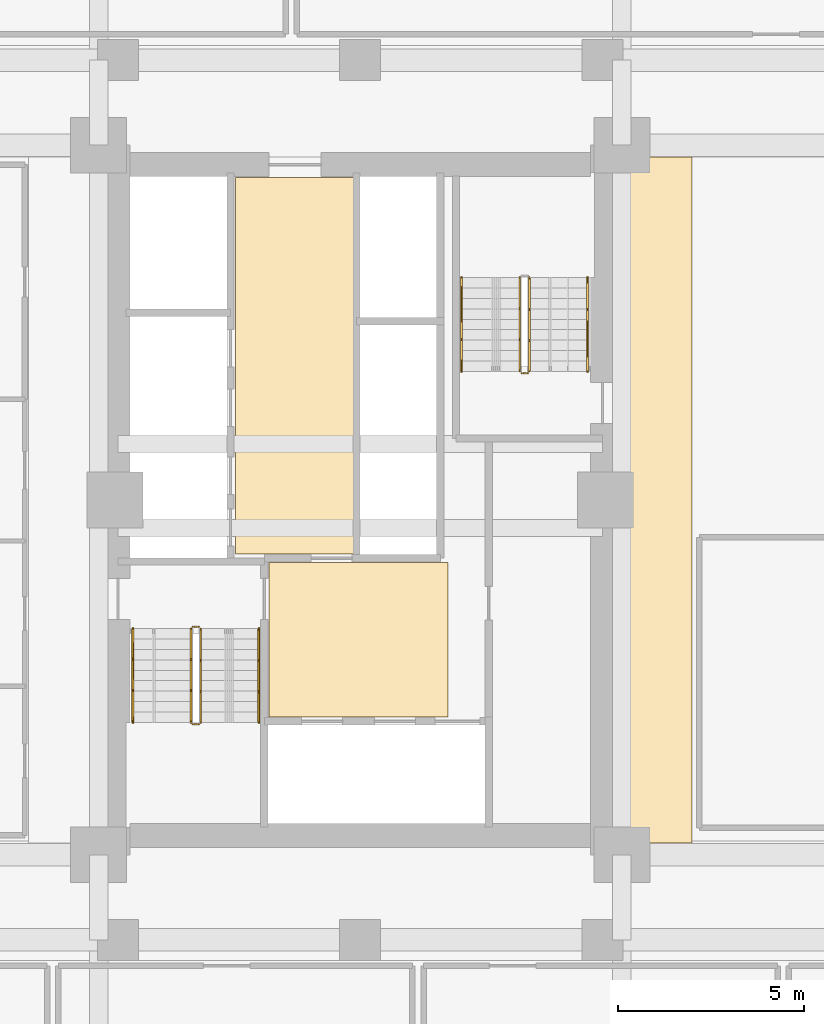
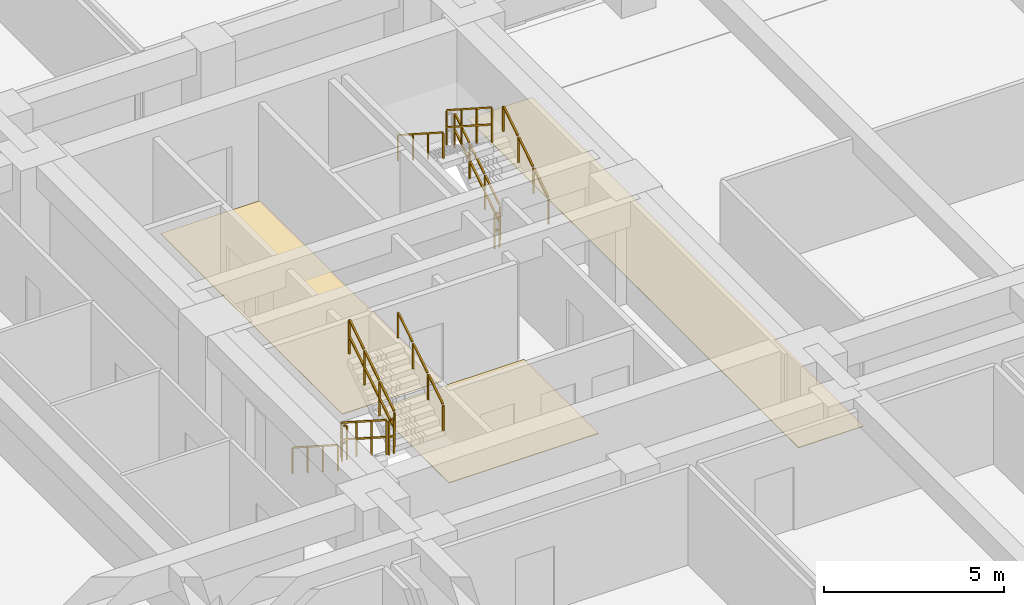
# One storey, part 23 of 27: 11 railings, 3 coverings.
"""IFC4 building model written with IfcOpenShell, lengths in metres."""

from ifc_helpers import new_model, si_unit, direction, frame, origin, origin_2d, place, context, subcontext, project, spatial, polyline, rectangle, outline, extrude, material, layer, layer_set, type_object, element, save


model = new_model("IFC4")

# Units and contexts
model_context = context("Model", 3, precision=1e-05, world=origin(), true_north=direction((0.0, 1.0)))
body_context = subcontext(model_context, "Body", "Model", "MODEL_VIEW")
ifc_project = project(units=[si_unit("LENGTHUNIT", "METRE"), si_unit("AREAUNIT", "SQUARE_METRE"), si_unit("VOLUMEUNIT", "CUBIC_METRE"), si_unit("PLANEANGLEUNIT", "RADIAN"), si_unit("MASSUNIT", "GRAM", prefix="KILO")], contexts=[model_context])

# Site, building, storey
site_placement = place(None, origin())
site = spatial("IfcSite", under=ifc_project, at=site_placement, CompositionType="ELEMENT")
building_placement = place(site_placement, origin())
building = spatial("IfcBuilding", under=site, at=building_placement, Name="Saelheon Loggia Tower", CompositionType="ELEMENT")
storey_placement = place(building_placement, frame((0.0, 0.0, 4.199951171875)))
storey = spatial("IfcBuildingStorey", under=building, at=storey_placement, Name="L01", CompositionType="ELEMENT", Elevation=4.199951171875)

# Coverings
ifc_material_1 = material(Name="Vitrified Porcelain Floor Tile", Category="ceramic")
ifc_layer = layer(ifc_material_1, 0.02001953125)
ifc_layer_set = layer_set([ifc_layer], Name="Vitrified Porcelain Floor Tile")
covering_type = type_object("IfcCoveringType", Name="Cov_Floor_Porcelain", PredefinedType="FLOORING", material=ifc_layer_set)
covering_1_placement = place(storey_placement, origin())
element("IfcCovering", 1, at=covering_1_placement, inside=storey, type_object=covering_type, Name="L01 Corridor Porcelain Flooring", PredefinedType="FLOORING", context=body_context, shape_type="SweptSolid", body=[
    extrude(outline(polyline([(35.550048828125, 21.179931640625), (40.35009765625, 21.179931640625), (40.35009765625, 25.320068359375), (35.550048828125, 25.320068359375), (35.550048828125, 21.179931640625)])), origin(), (0.0, 0.0, 1.0), 0.02001953125),
])
covering_2_placement = place(storey_placement, origin())
element("IfcCovering", 2, at=covering_2_placement, inside=storey, type_object=covering_type, Name="L01 Corridor Porcelain Flooring", PredefinedType="FLOORING", context=body_context, shape_type="SweptSolid", body=[
    extrude(outline(polyline([(34.64990234375, 25.550048828125), (37.85009765625, 25.550048828125), (37.85009765625, 35.64990234375), (34.64990234375, 35.64990234375), (34.64990234375, 25.550048828125)])), origin(), (0.0, 0.0, 1.0), 0.02001953125),
])
covering_3_placement = place(storey_placement, origin())
element("IfcCovering", 3, at=covering_3_placement, inside=storey, type_object=covering_type, Name="L01 Corridor Porcelain Flooring", PredefinedType="FLOORING", context=body_context, shape_type="SweptSolid", body=[
    extrude(outline(polyline([(44.820068359375, 17.800048828125), (46.89990234375, 17.800048828125), (46.89990234375, 36.199951171875), (44.820068359375, 36.199951171875), (44.820068359375, 17.800048828125)])), origin(), (0.0, 0.0, 1.0), 0.02001953125),
])

# Railings
ifc_material_2 = material(Name="Galvanised Steel S275 Stairwell Guardrail", Category="steel")
railing_type_1 = type_object("IfcRailingType", Name="Guard_StairWell_RL_STG", PredefinedType="GUARDRAIL", material=ifc_material_2)
railing_1_placement = place(storey_placement, frame((33.4599609375, 23.550048828125, 0.179931640625)))
element("IfcRailing", 4, at=railing_1_placement, inside=storey, type_object=railing_type_1, Name="L01 ST1 stair guard 1", PredefinedType="GUARDRAIL", context=body_context, shape_type="SweptSolid", body=[
    extrude(rectangle(XDim=0.048095703125, YDim=0.048095703125, at=origin_2d()), frame((0.0, -0.028076171875, 1.19384765625), z_axis=(0.0, -0.841162588446, 0.540782303519), x_axis=(1.0, 0.0, 0.0)), (0.0, 0.0, 1.0), 0.93212890625),
    extrude(rectangle(XDim=0.048095703125, YDim=0.048095703125, at=origin_2d()), frame((0.0, -0.028076171875, 0.617919921875), z_axis=(0.0, -0.841162588446, 0.540782303519), x_axis=(1.0, 0.0, 0.0)), (0.0, 0.0, 1.0), 0.93212890625),
    extrude(rectangle(XDim=0.048095703125, YDim=0.048095703125, at=origin_2d()), frame((0.0, -0.867919921875, 1.73388671875), z_axis=(0.0, -0.841162588446, 0.540782303519), x_axis=(1.0, 0.0, 0.0)), (0.0, 0.0, 1.0), 0.93212890625),
    extrude(rectangle(XDim=0.048095703125, YDim=0.048095703125, at=origin_2d()), frame((0.0, -0.867919921875, 1.157958984375), z_axis=(0.0, -0.841162588446, 0.540782303519), x_axis=(1.0, 0.0, 0.0)), (0.0, 0.0, 1.0), 0.93212890625),
    extrude(rectangle(XDim=0.048095703125, YDim=0.048095703125, at=origin_2d()), frame((0.0, -1.7080078125, 2.27392578125), z_axis=(0.0, -0.841162588446, 0.540782303519), x_axis=(1.0, 0.0, 0.0)), (0.0, 0.0, 1.0), 0.93212890625),
    extrude(rectangle(XDim=0.048095703125, YDim=0.048095703125, at=origin_2d()), frame((0.0, -1.7080078125, 1.697998046875), z_axis=(0.0, -0.841162588446, 0.540782303519), x_axis=(1.0, 0.0, 0.0)), (0.0, 0.0, 1.0), 0.93212890625),
    extrude(rectangle(XDim=0.0419921875, YDim=0.0419921875, at=origin_2d()), origin(), (0.0, 0.0, 1.0), 1.14794921875),
    extrude(rectangle(XDim=0.0419921875, YDim=0.0419921875, at=origin_2d()), frame((0.0, -0.840087890625, 0.5400390625)), (0.0, 0.0, 1.0), 1.14794921875),
    extrude(rectangle(XDim=0.0419921875, YDim=0.0419921875, at=origin_2d()), frame((0.0, -1.679931640625, 1.080078125)), (0.0, 0.0, 1.0), 1.14794921875),
    extrude(rectangle(XDim=0.0419921875, YDim=0.0419921875, at=origin_2d()), frame((0.0, -2.52001953125, 1.6201171875)), (0.0, 0.0, 1.0), 1.14794921875),
])
railing_2_placement = place(storey_placement, frame((33.510009765625, 20.97998046875, 1.800048828125)))
element("IfcRailing", 5, at=railing_2_placement, inside=storey, type_object=railing_type_1, Name="L01 ST1 stair guard 2", PredefinedType="GUARDRAIL", context=body_context, shape_type="SweptSolid", body=[
    extrude(rectangle(XDim=0.048095703125, YDim=0.048095703125, at=origin_2d()), frame((0.033203125, 0.0, 1.17578125), z_axis=(1.0, 0.0, 0.0), x_axis=(0.0, 1.0, 0.0)), (0.0, 0.0, 1.0), 0.093505859375),
    extrude(rectangle(XDim=0.048095703125, YDim=0.048095703125, at=origin_2d()), frame((0.033203125, 0.0, 0.60009765625), z_axis=(1.0, 0.0, 0.0), x_axis=(0.0, 1.0, 0.0)), (0.0, 0.0, 1.0), 0.093505859375),
    extrude(rectangle(XDim=0.0419921875, YDim=0.0419921875, at=origin_2d()), origin(), (0.0, 0.0, 1.0), 1.14794921875),
    extrude(rectangle(XDim=0.0419921875, YDim=0.0419921875, at=origin_2d()), frame((0.159912109375, 0.0, 0.0)), (0.0, 0.0, 1.0), 1.14794921875),
])
railing_3_placement = place(storey_placement, frame((33.719970703125, 21.030029296875, 1.97998046875)))
element("IfcRailing", 6, at=railing_3_placement, inside=storey, type_object=railing_type_1, Name="L01 ST1 stair guard 3", PredefinedType="GUARDRAIL", context=body_context, shape_type="SweptSolid", body=[
    extrude(rectangle(XDim=0.048095703125, YDim=0.048095703125, at=origin_2d()), frame((0.0, 0.028076171875, 1.19384765625), z_axis=(0.0, 0.841162588446, 0.540782303519), x_axis=(-1.0, 0.0, 0.0)), (0.0, 0.0, 1.0), 0.93212890625),
    extrude(rectangle(XDim=0.048095703125, YDim=0.048095703125, at=origin_2d()), frame((0.0, 0.028076171875, 0.617919921875), z_axis=(0.0, 0.841162588446, 0.540782303519), x_axis=(-1.0, 0.0, 0.0)), (0.0, 0.0, 1.0), 0.93212890625),
    extrude(rectangle(XDim=0.048095703125, YDim=0.048095703125, at=origin_2d()), frame((0.0, 0.867919921875, 1.73388671875), z_axis=(0.0, 0.841162588446, 0.540782303519), x_axis=(-1.0, 0.0, 0.0)), (0.0, 0.0, 1.0), 0.93212890625),
    extrude(rectangle(XDim=0.048095703125, YDim=0.048095703125, at=origin_2d()), frame((0.0, 0.867919921875, 1.157958984375), z_axis=(0.0, 0.841162588446, 0.540782303519), x_axis=(-1.0, 0.0, 0.0)), (0.0, 0.0, 1.0), 0.93212890625),
    extrude(rectangle(XDim=0.048095703125, YDim=0.048095703125, at=origin_2d()), frame((0.0, 1.7080078125, 2.27392578125), z_axis=(0.0, 0.841162588446, 0.540782303519), x_axis=(-1.0, 0.0, 0.0)), (0.0, 0.0, 1.0), 0.93212890625),
    extrude(rectangle(XDim=0.048095703125, YDim=0.048095703125, at=origin_2d()), frame((0.0, 1.7080078125, 1.697998046875), z_axis=(0.0, 0.841162588446, 0.540782303519), x_axis=(-1.0, 0.0, 0.0)), (0.0, 0.0, 1.0), 0.93212890625),
    extrude(rectangle(XDim=0.0419921875, YDim=0.0419921875, at=origin_2d()), origin(), (0.0, 0.0, 1.0), 1.14794921875),
    extrude(rectangle(XDim=0.0419921875, YDim=0.0419921875, at=origin_2d()), frame((0.0, 0.840087890625, 0.5400390625)), (0.0, 0.0, 1.0), 1.14794921875),
    extrude(rectangle(XDim=0.0419921875, YDim=0.0419921875, at=origin_2d()), frame((0.0, 1.679931640625, 1.080078125)), (0.0, 0.0, 1.0), 1.14794921875),
    extrude(rectangle(XDim=0.0419921875, YDim=0.0419921875, at=origin_2d()), frame((0.0, 2.52001953125, 1.6201171875)), (0.0, 0.0, 1.0), 1.14794921875),
])
railing_4_placement = place(storey_placement, frame((33.510009765625, 23.60009765625, 0.0)))
element("IfcRailing", 7, at=railing_4_placement, inside=storey, type_object=railing_type_1, Name="L01 ST1 stair guard 4", PredefinedType="GUARDRAIL", context=body_context, shape_type="SweptSolid", body=[
    extrude(rectangle(XDim=0.048095703125, YDim=0.048095703125, at=origin_2d()), frame((0.033203125, 0.0, 1.17578125), z_axis=(1.0, 0.0, 0.0), x_axis=(0.0, 1.0, 0.0)), (0.0, 0.0, 1.0), 0.093505859375),
    extrude(rectangle(XDim=0.048095703125, YDim=0.048095703125, at=origin_2d()), frame((0.033203125, 0.0, 0.60009765625), z_axis=(1.0, 0.0, 0.0), x_axis=(0.0, 1.0, 0.0)), (0.0, 0.0, 1.0), 0.093505859375),
    extrude(rectangle(XDim=0.0419921875, YDim=0.0419921875, at=origin_2d()), origin(), (0.0, 0.0, 1.0), 1.14794921875),
    extrude(rectangle(XDim=0.0419921875, YDim=0.0419921875, at=origin_2d()), frame((0.159912109375, 0.0, 0.0)), (0.0, 0.0, 1.0), 1.14794921875),
])
railing_5_placement = place(storey_placement, frame((42.5400390625, 30.449951171875, 0.179931640625)))
element("IfcRailing", 8, at=railing_5_placement, inside=storey, type_object=railing_type_1, Name="L01 ST2 stair guard 1", PredefinedType="GUARDRAIL", context=body_context, shape_type="SweptSolid", body=[
    extrude(rectangle(XDim=0.048095703125, YDim=0.048095703125, at=origin_2d()), frame((0.0, 0.028076171875, 1.19384765625), z_axis=(0.0, 0.841162588446, 0.540782303519), x_axis=(-1.0, 0.0, 0.0)), (0.0, 0.0, 1.0), 0.93212890625),
    extrude(rectangle(XDim=0.048095703125, YDim=0.048095703125, at=origin_2d()), frame((0.0, 0.028076171875, 0.617919921875), z_axis=(0.0, 0.841162588446, 0.540782303519), x_axis=(-1.0, 0.0, 0.0)), (0.0, 0.0, 1.0), 0.93212890625),
    extrude(rectangle(XDim=0.048095703125, YDim=0.048095703125, at=origin_2d()), frame((0.0, 0.867919921875, 1.73388671875), z_axis=(0.0, 0.841162588446, 0.540782303519), x_axis=(-1.0, 0.0, 0.0)), (0.0, 0.0, 1.0), 0.93212890625),
    extrude(rectangle(XDim=0.048095703125, YDim=0.048095703125, at=origin_2d()), frame((0.0, 0.867919921875, 1.157958984375), z_axis=(0.0, 0.841162588446, 0.540782303519), x_axis=(-1.0, 0.0, 0.0)), (0.0, 0.0, 1.0), 0.93212890625),
    extrude(rectangle(XDim=0.048095703125, YDim=0.048095703125, at=origin_2d()), frame((0.0, 1.7080078125, 2.27392578125), z_axis=(0.0, 0.841162588446, 0.540782303519), x_axis=(-1.0, 0.0, 0.0)), (0.0, 0.0, 1.0), 0.93212890625),
    extrude(rectangle(XDim=0.048095703125, YDim=0.048095703125, at=origin_2d()), frame((0.0, 1.7080078125, 1.697998046875), z_axis=(0.0, 0.841162588446, 0.540782303519), x_axis=(-1.0, 0.0, 0.0)), (0.0, 0.0, 1.0), 0.93212890625),
    extrude(rectangle(XDim=0.0419921875, YDim=0.0419921875, at=origin_2d()), origin(), (0.0, 0.0, 1.0), 1.14794921875),
    extrude(rectangle(XDim=0.0419921875, YDim=0.0419921875, at=origin_2d()), frame((0.0, 0.840087890625, 0.5400390625)), (0.0, 0.0, 1.0), 1.14794921875),
    extrude(rectangle(XDim=0.0419921875, YDim=0.0419921875, at=origin_2d()), frame((0.0, 1.679931640625, 1.080078125)), (0.0, 0.0, 1.0), 1.14794921875),
    extrude(rectangle(XDim=0.0419921875, YDim=0.0419921875, at=origin_2d()), frame((0.0, 2.52001953125, 1.6201171875)), (0.0, 0.0, 1.0), 1.14794921875),
])
railing_6_placement = place(storey_placement, frame((42.280029296875, 32.969970703125, 1.97998046875)))
element("IfcRailing", 9, at=railing_6_placement, inside=storey, type_object=railing_type_1, Name="L01 ST2 stair guard 3", PredefinedType="GUARDRAIL", context=body_context, shape_type="SweptSolid", body=[
    extrude(rectangle(XDim=0.048095703125, YDim=0.048095703125, at=origin_2d()), frame((0.0, -0.028076171875, 1.19384765625), z_axis=(0.0, -0.841162588446, 0.540782303519), x_axis=(1.0, 0.0, 0.0)), (0.0, 0.0, 1.0), 0.93212890625),
    extrude(rectangle(XDim=0.048095703125, YDim=0.048095703125, at=origin_2d()), frame((0.0, -0.028076171875, 0.617919921875), z_axis=(0.0, -0.841162588446, 0.540782303519), x_axis=(1.0, 0.0, 0.0)), (0.0, 0.0, 1.0), 0.93212890625),
    extrude(rectangle(XDim=0.048095703125, YDim=0.048095703125, at=origin_2d()), frame((0.0, -0.867919921875, 1.73388671875), z_axis=(0.0, -0.841162588446, 0.540782303519), x_axis=(1.0, 0.0, 0.0)), (0.0, 0.0, 1.0), 0.93212890625),
    extrude(rectangle(XDim=0.048095703125, YDim=0.048095703125, at=origin_2d()), frame((0.0, -0.867919921875, 1.157958984375), z_axis=(0.0, -0.841162588446, 0.540782303519), x_axis=(1.0, 0.0, 0.0)), (0.0, 0.0, 1.0), 0.93212890625),
    extrude(rectangle(XDim=0.048095703125, YDim=0.048095703125, at=origin_2d()), frame((0.0, -1.7080078125, 2.27392578125), z_axis=(0.0, -0.841162588446, 0.540782303519), x_axis=(1.0, 0.0, 0.0)), (0.0, 0.0, 1.0), 0.93212890625),
    extrude(rectangle(XDim=0.048095703125, YDim=0.048095703125, at=origin_2d()), frame((0.0, -1.7080078125, 1.697998046875), z_axis=(0.0, -0.841162588446, 0.540782303519), x_axis=(1.0, 0.0, 0.0)), (0.0, 0.0, 1.0), 0.93212890625),
    extrude(rectangle(XDim=0.0419921875, YDim=0.0419921875, at=origin_2d()), origin(), (0.0, 0.0, 1.0), 1.14794921875),
    extrude(rectangle(XDim=0.0419921875, YDim=0.0419921875, at=origin_2d()), frame((0.0, -0.840087890625, 0.5400390625)), (0.0, 0.0, 1.0), 1.14794921875),
    extrude(rectangle(XDim=0.0419921875, YDim=0.0419921875, at=origin_2d()), frame((0.0, -1.679931640625, 1.080078125)), (0.0, 0.0, 1.0), 1.14794921875),
    extrude(rectangle(XDim=0.0419921875, YDim=0.0419921875, at=origin_2d()), frame((0.0, -2.52001953125, 1.6201171875)), (0.0, 0.0, 1.0), 1.14794921875),
])
railing_7_placement = place(storey_placement, frame((42.489990234375, 30.39990234375, 0.0)))
element("IfcRailing", 10, at=railing_7_placement, inside=storey, type_object=railing_type_1, Name="L01 ST2 stair guard 4", PredefinedType="GUARDRAIL", context=body_context, shape_type="SweptSolid", body=[
    extrude(rectangle(XDim=0.048095703125, YDim=0.048095703125, at=origin_2d()), frame((-0.033203125, 0.0, 1.17578125), z_axis=(-1.0, 0.0, 0.0), x_axis=(0.0, -1.0, 0.0)), (0.0, 0.0, 1.0), 0.093505859375),
    extrude(rectangle(XDim=0.048095703125, YDim=0.048095703125, at=origin_2d()), frame((-0.033203125, 0.0, 0.60009765625), z_axis=(-1.0, 0.0, 0.0), x_axis=(0.0, -1.0, 0.0)), (0.0, 0.0, 1.0), 0.093505859375),
    extrude(rectangle(XDim=0.0419921875, YDim=0.0419921875, at=origin_2d()), origin(), (0.0, 0.0, 1.0), 1.14794921875),
    extrude(rectangle(XDim=0.0419921875, YDim=0.0419921875, at=origin_2d()), frame((-0.159912109375, 0.0, 0.0)), (0.0, 0.0, 1.0), 1.14794921875),
])
ifc_material_3 = material(Name="Stainless Steel 304 Tubular Handrail", Category="steel")
railing_type_2 = type_object("IfcRailingType", Name="Handrail_Stair_RL_HR1", PredefinedType="HANDRAIL", material=ifc_material_3)
railing_8_placement = place(storey_placement, frame((31.89990234375, 23.550048828125, 0.179931640625)))
element("IfcRailing", 11, at=railing_8_placement, inside=storey, type_object=railing_type_2, Name="L01 ST1 stair handrail 1", PredefinedType="HANDRAIL", context=body_context, shape_type="SweptSolid", body=[
    extrude(rectangle(XDim=0.048095703125, YDim=0.048095703125, at=origin_2d()), frame((0.0, -0.028076171875, 0.893798828125), z_axis=(0.0, -0.841162588446, 0.540782303519), x_axis=(1.0, 0.0, 0.0)), (0.0, 0.0, 1.0), 0.93212890625),
    extrude(rectangle(XDim=0.048095703125, YDim=0.048095703125, at=origin_2d()), frame((0.0, -0.867919921875, 1.433837890625), z_axis=(0.0, -0.841162588446, 0.540782303519), x_axis=(1.0, 0.0, 0.0)), (0.0, 0.0, 1.0), 0.93212890625),
    extrude(rectangle(XDim=0.048095703125, YDim=0.048095703125, at=origin_2d()), frame((0.0, -1.7080078125, 1.973876953125), z_axis=(0.0, -0.841162588446, 0.540782303519), x_axis=(1.0, 0.0, 0.0)), (0.0, 0.0, 1.0), 0.93212890625),
    extrude(rectangle(XDim=0.0419921875, YDim=0.0419921875, at=origin_2d()), origin(), (0.0, 0.0, 1.0), 0.847900390625),
    extrude(rectangle(XDim=0.0419921875, YDim=0.0419921875, at=origin_2d()), frame((0.0, -0.840087890625, 0.5400390625)), (0.0, 0.0, 1.0), 0.847900390625),
    extrude(rectangle(XDim=0.0419921875, YDim=0.0419921875, at=origin_2d()), frame((0.0, -1.679931640625, 1.080078125)), (0.0, 0.0, 1.0), 0.847900390625),
    extrude(rectangle(XDim=0.0419921875, YDim=0.0419921875, at=origin_2d()), frame((0.0, -2.52001953125, 1.6201171875)), (0.0, 0.0, 1.0), 0.847900390625),
])
for number, where, name in (
    (12, (35.280029296875, 21.030029296875, 1.97998046875), "L01 ST1 stair handrail 2"),
    (13, (44.10009765625, 30.449951171875, 0.179931640625), "L01 ST2 stair handrail 1"),
):
    element("IfcRailing", number, at=place(storey_placement, frame(where)), inside=storey, type_object=railing_type_2, Name=name, PredefinedType="HANDRAIL", context=body_context, shape_type="SweptSolid", body=[
        extrude(rectangle(XDim=0.048095703125, YDim=0.048095703125, at=origin_2d()), frame((0.0, 0.028076171875, 0.893798828125), z_axis=(0.0, 0.841162588446, 0.540782303519), x_axis=(-1.0, 0.0, 0.0)), (0.0, 0.0, 1.0), 0.93212890625),
        extrude(rectangle(XDim=0.048095703125, YDim=0.048095703125, at=origin_2d()), frame((0.0, 0.867919921875, 1.433837890625), z_axis=(0.0, 0.841162588446, 0.540782303519), x_axis=(-1.0, 0.0, 0.0)), (0.0, 0.0, 1.0), 0.93212890625),
        extrude(rectangle(XDim=0.048095703125, YDim=0.048095703125, at=origin_2d()), frame((0.0, 1.7080078125, 1.973876953125), z_axis=(0.0, 0.841162588446, 0.540782303519), x_axis=(-1.0, 0.0, 0.0)), (0.0, 0.0, 1.0), 0.93212890625),
        extrude(rectangle(XDim=0.0419921875, YDim=0.0419921875, at=origin_2d()), origin(), (0.0, 0.0, 1.0), 0.847900390625),
        extrude(rectangle(XDim=0.0419921875, YDim=0.0419921875, at=origin_2d()), frame((0.0, 0.840087890625, 0.5400390625)), (0.0, 0.0, 1.0), 0.847900390625),
        extrude(rectangle(XDim=0.0419921875, YDim=0.0419921875, at=origin_2d()), frame((0.0, 1.679931640625, 1.080078125)), (0.0, 0.0, 1.0), 0.847900390625),
        extrude(rectangle(XDim=0.0419921875, YDim=0.0419921875, at=origin_2d()), frame((0.0, 2.52001953125, 1.6201171875)), (0.0, 0.0, 1.0), 0.847900390625),
    ])
railing_9_placement = place(storey_placement, frame((40.719970703125, 32.969970703125, 1.97998046875)))
element("IfcRailing", 14, at=railing_9_placement, inside=storey, type_object=railing_type_2, Name="L01 ST2 stair handrail 2", PredefinedType="HANDRAIL", context=body_context, shape_type="SweptSolid", body=[
    extrude(rectangle(XDim=0.048095703125, YDim=0.048095703125, at=origin_2d()), frame((0.0, -0.028076171875, 0.893798828125), z_axis=(0.0, -0.841162588446, 0.540782303519), x_axis=(1.0, 0.0, 0.0)), (0.0, 0.0, 1.0), 0.93212890625),
    extrude(rectangle(XDim=0.048095703125, YDim=0.048095703125, at=origin_2d()), frame((0.0, -0.867919921875, 1.433837890625), z_axis=(0.0, -0.841162588446, 0.540782303519), x_axis=(1.0, 0.0, 0.0)), (0.0, 0.0, 1.0), 0.93212890625),
    extrude(rectangle(XDim=0.048095703125, YDim=0.048095703125, at=origin_2d()), frame((0.0, -1.7080078125, 1.973876953125), z_axis=(0.0, -0.841162588446, 0.540782303519), x_axis=(1.0, 0.0, 0.0)), (0.0, 0.0, 1.0), 0.93212890625),
    extrude(rectangle(XDim=0.0419921875, YDim=0.0419921875, at=origin_2d()), origin(), (0.0, 0.0, 1.0), 0.847900390625),
    extrude(rectangle(XDim=0.0419921875, YDim=0.0419921875, at=origin_2d()), frame((0.0, -0.840087890625, 0.5400390625)), (0.0, 0.0, 1.0), 0.847900390625),
    extrude(rectangle(XDim=0.0419921875, YDim=0.0419921875, at=origin_2d()), frame((0.0, -1.679931640625, 1.080078125)), (0.0, 0.0, 1.0), 0.847900390625),
    extrude(rectangle(XDim=0.0419921875, YDim=0.0419921875, at=origin_2d()), frame((0.0, -2.52001953125, 1.6201171875)), (0.0, 0.0, 1.0), 0.847900390625),
])

save(model, "model.ifc")
